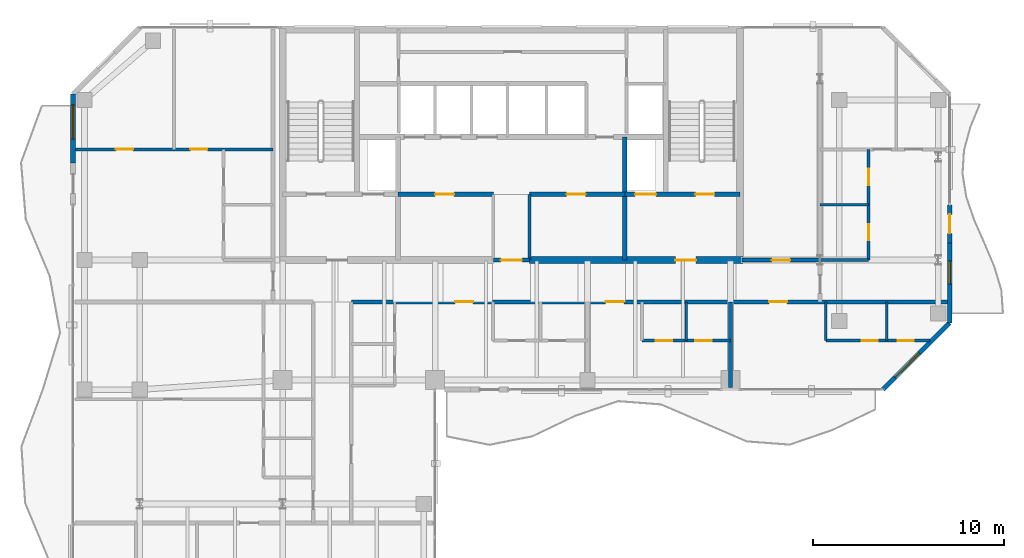
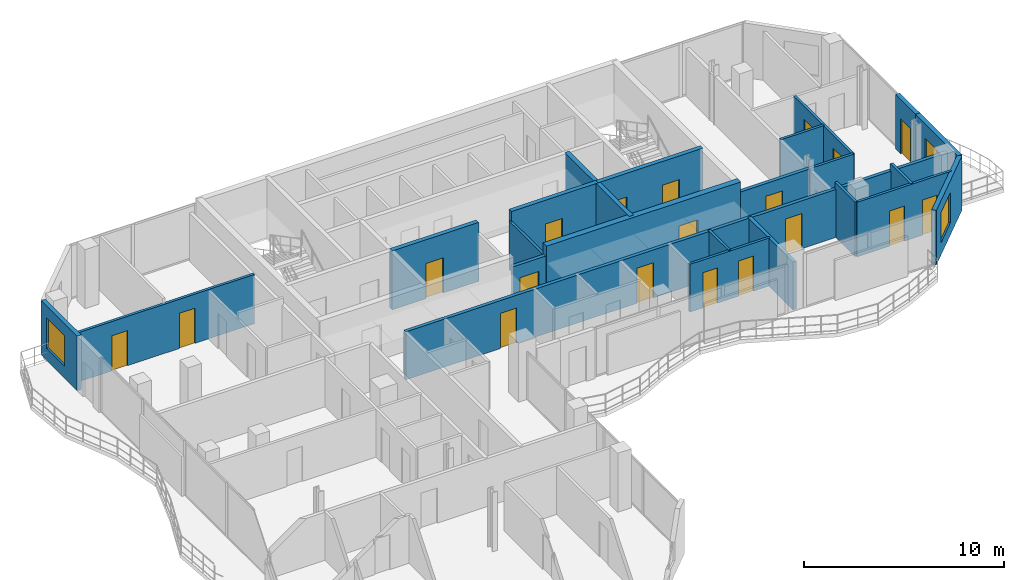
# One storey, part 19 of 24: 23 walls, 19 doors, 3 windows, 22 openings.
"""IFC4 building model written with IfcOpenShell, lengths in metres."""

from ifc_helpers import new_model, si_unit, direction, frame, frame_2d, origin, place, context, subcontext, project, spatial, rectangle, extrude, material, layer, layer_set, type_object, element, fill, save


model = new_model("IFC4")

# Units and contexts
model_context = context("Model", 3, precision=1e-05, world=origin(), true_north=direction((0.0, 1.0)))
body_context = subcontext(model_context, "Body", "Model", "MODEL_VIEW")
ifc_project = project(units=[si_unit("LENGTHUNIT", "METRE"), si_unit("AREAUNIT", "SQUARE_METRE"), si_unit("VOLUMEUNIT", "CUBIC_METRE"), si_unit("PLANEANGLEUNIT", "RADIAN"), si_unit("MASSUNIT", "GRAM", prefix="KILO")], contexts=[model_context])

# Site, building, storey
site_placement = place(None, origin())
site = spatial("IfcSite", under=ifc_project, at=site_placement, CompositionType="ELEMENT")
building_placement = place(site_placement, origin())
building = spatial("IfcBuilding", under=site, at=building_placement, Name="Catumbela Crestline Tower", CompositionType="ELEMENT")
storey_placement = place(building_placement, frame((0.0, 0.0, 157.8)))
storey = spatial("IfcBuildingStorey", under=building, at=storey_placement, Name="L40", CompositionType="ELEMENT", Elevation=157.8)

# Wall
ifc_material_1 = material(Name="Concrete C50/60", Category="concrete")
ifc_layer_1 = layer(ifc_material_1, 0.25, Name="Concrete C50/60")
ifc_layer_set_1 = layer_set([ifc_layer_1], Name="Concrete C50/60")
wall_type_1 = type_object("IfcWallType", Name="CW-250D", PredefinedType="SHEAR", material=ifc_layer_set_1)
wall_1_placement = place(storey_placement, frame((33.95, 30.8, 0.0), z_axis=(0.0, 0.0, 1.0), x_axis=(0.0, 1.0, 0.0)))
element("IfcWall", 1, at=wall_1_placement, inside=storey, type_object=wall_type_1, Name="L40 Structural Core Shear Wall FFE", PredefinedType="SHEAR", context=body_context, shape_type="SweptSolid", body=[
    extrude(rectangle(XDim=6.45, YDim=0.25, at=frame_2d((3.225, 0.0))), origin(), (0.0, 0.0, 1.0), 3.6),
])

# Wall, openings, doors
wall_2_placement = place(storey_placement, frame((33.95, 34.25, 0.0), z_axis=(0.0, 0.0, 1.0), x_axis=(1.0, 0.0, 0.0)))
wall_2 = element("IfcWall", 2, at=wall_2_placement, inside=storey, type_object=wall_type_1, Name="L40 Structural Core Shear Wall ST2S", PredefinedType="SHEAR", context=body_context, shape_type="SweptSolid", body=[
    extrude(rectangle(XDim=6.05, YDim=0.25, at=frame_2d((3.025, 0.0))), origin(), (0.0, 0.0, 1.0), 3.6),
])
opening_1_placement = place(wall_2_placement, frame((3.7, 0.0, 0.0)))
opening_1 = element("IfcOpeningElement", 3, at=opening_1_placement, cuts=wall_2, Name="Opening DF9-100", PredefinedType="OPENING", context=body_context, shape_type="SweptSolid", body=[
    extrude(rectangle(XDim=1.0, YDim=2.15, at=frame_2d((0.5, 1.075))), frame((0.0, 0.135, 0.0), z_axis=(0.0, -1.0, 0.0), x_axis=(1.0, 0.0, 0.0)), (0.0, 0.0, 1.0), 0.27),
])
opening_2_placement = place(wall_2_placement, frame((0.55, 0.0, 0.0)))
opening_2 = element("IfcOpeningElement", 4, at=opening_2_placement, cuts=wall_2, Name="Opening LD-110", PredefinedType="OPENING", context=body_context, shape_type="SweptSolid", body=[
    extrude(rectangle(XDim=1.1, YDim=2.15, at=frame_2d((0.55, 1.075))), frame((0.0, 0.135, 0.0), z_axis=(0.0, -1.0, 0.0), x_axis=(1.0, 0.0, 0.0)), (0.0, 0.0, 1.0), 0.27),
])
ifc_material_2 = material(Name="Stainless steel EN 1.4401", Category="steel")
door_type_1 = type_object("IfcDoorType", Name="DF9-100", OperationType="NOTDEFINED", PredefinedType="DOOR", material=ifc_material_2)
door_1_placement = place(opening_1_placement, origin())
door_1 = element("IfcDoor", 5, at=door_1_placement, inside=storey, type_object=door_type_1, Name="L40 Interior Door DR-L40-ST02", OperationType="SINGLE_SWING_RIGHT", OverallHeight=2.15, OverallWidth=1.0, PredefinedType="DOOR", context=body_context, shape_type="SweptSolid", body=[
    extrude(rectangle(XDim=1.0, YDim=2.15, at=frame_2d((0.5, 1.075))), frame((0.0, 0.025, 0.0), z_axis=(0.0, -1.0, 0.0), x_axis=(1.0, 0.0, 0.0)), (0.0, 0.0, 1.0), 0.05),
])
fill(opening_1, door_1)
door_type_2 = type_object("IfcDoorType", Name="LD-110", OperationType="NOTDEFINED", PredefinedType="DOOR", material=ifc_material_2)
door_2_placement = place(opening_2_placement, origin())
door_2 = element("IfcDoor", 6, at=door_2_placement, inside=storey, type_object=door_type_2, Name="L40 Lift Landing Sliding Door FL-02", OperationType="DOUBLE_DOOR_SLIDING", OverallHeight=2.15, OverallWidth=1.1, PredefinedType="DOOR", context=body_context, shape_type="SweptSolid", body=[
    extrude(rectangle(XDim=1.1, YDim=2.15, at=frame_2d((0.55, 1.075))), frame((0.0, 0.025, 0.0), z_axis=(0.0, -1.0, 0.0), x_axis=(1.0, 0.0, 0.0)), (0.0, 0.0, 1.0), 0.05),
])
fill(opening_2, door_2)

# Wall, opening, door
wall_3_placement = place(storey_placement, frame((22.05, 34.25, 0.0), z_axis=(0.0, 0.0, 1.0), x_axis=(1.0, 0.0, 0.0)))
wall_3 = element("IfcWall", 7, at=wall_3_placement, inside=storey, type_object=wall_type_1, Name="L40 Structural Core Shear Wall LIFTS-W", PredefinedType="SHEAR", context=body_context, shape_type="SweptSolid", body=[
    extrude(rectangle(XDim=5.0, YDim=0.25, at=frame_2d((2.5, 0.0))), origin(), (0.0, 0.0, 1.0), 3.6),
])
opening_3_placement = place(wall_3_placement, frame((1.95, 0.0, 0.0)))
opening_3 = element("IfcOpeningElement", 8, at=opening_3_placement, cuts=wall_3, Name="Opening DF9-100", PredefinedType="OPENING", context=body_context, shape_type="SweptSolid", body=[
    extrude(rectangle(XDim=1.0, YDim=2.15, at=frame_2d((0.5, 1.075))), frame((0.0, 0.135, 0.0), z_axis=(0.0, -1.0, 0.0), x_axis=(1.0, 0.0, 0.0)), (0.0, 0.0, 1.0), 0.27),
])
door_3_placement = place(opening_3_placement, origin())
door_3 = element("IfcDoor", 9, at=door_3_placement, inside=storey, type_object=door_type_1, Name="L40 Interior Door DR-L40-RECL1", OperationType="SINGLE_SWING_LEFT", OverallHeight=2.15, OverallWidth=1.0, PredefinedType="DOOR", context=body_context, shape_type="SweptSolid", body=[
    extrude(rectangle(XDim=1.0, YDim=2.15, at=frame_2d((0.5, 1.075))), frame((0.0, 0.025, 0.0), z_axis=(0.0, -1.0, 0.0), x_axis=(1.0, 0.0, 0.0)), (0.0, 0.0, 1.0), 0.05),
])
fill(opening_3, door_3)

wall_4_placement = place(storey_placement, frame((28.95, 34.25, 0.0), z_axis=(0.0, 0.0, 1.0), x_axis=(1.0, 0.0, 0.0)))
wall_4 = element("IfcWall", 10, at=wall_4_placement, inside=storey, type_object=wall_type_1, Name="L40 Structural Core Shear Wall LIFTS-E", PredefinedType="SHEAR", context=body_context, shape_type="SweptSolid", body=[
    extrude(rectangle(XDim=5.0, YDim=0.25, at=frame_2d((2.5, 0.0))), origin(), (0.0, 0.0, 1.0), 3.6),
])
opening_4_placement = place(wall_4_placement, frame((1.95, 0.0, 0.0)))
opening_4 = element("IfcOpeningElement", 11, at=opening_4_placement, cuts=wall_4, Name="Opening DF9-100", PredefinedType="OPENING", context=body_context, shape_type="SweptSolid", body=[
    extrude(rectangle(XDim=1.0, YDim=2.15, at=frame_2d((0.5, 1.075))), frame((0.0, 0.135, 0.0), z_axis=(0.0, -1.0, 0.0), x_axis=(1.0, 0.0, 0.0)), (0.0, 0.0, 1.0), 0.27),
])
door_4_placement = place(opening_4_placement, origin())
door_4 = element("IfcDoor", 12, at=door_4_placement, inside=storey, type_object=door_type_1, Name="L40 Interior Door DR-L40-RECL2", OperationType="SINGLE_SWING_RIGHT", OverallHeight=2.15, OverallWidth=1.0, PredefinedType="DOOR", context=body_context, shape_type="SweptSolid", body=[
    extrude(rectangle(XDim=1.0, YDim=2.15, at=frame_2d((0.5, 1.075))), frame((0.0, 0.025, 0.0), z_axis=(0.0, -1.0, 0.0), x_axis=(1.0, 0.0, 0.0)), (0.0, 0.0, 1.0), 0.05),
])
fill(opening_4, door_4)

ifc_layer_2 = layer(ifc_material_1, 0.35, Name="Concrete C50/60")
ifc_layer_set_2 = layer_set([ifc_layer_2], Name="Concrete C50/60")
wall_type_2 = type_object("IfcWallType", Name="CW-350B", PredefinedType="SHEAR", material=ifc_layer_set_2)
wall_5_placement = place(storey_placement, frame((28.95, 30.8, 0.0), z_axis=(0.0, 0.0, 1.0), x_axis=(1.0, 0.0, 0.0)))
wall_5 = element("IfcWall", 13, at=wall_5_placement, inside=storey, type_object=wall_type_2, Name="L40 Structural Core Shear Wall SE", PredefinedType="SHEAR", context=body_context, shape_type="SweptSolid", body=[
    extrude(rectangle(XDim=11.2, YDim=0.35, at=frame_2d((5.6, 0.0))), origin(), (0.0, 0.0, 1.0), 3.6),
])
opening_5_placement = place(wall_5_placement, frame((7.65, 0.0, 0.0)))
opening_5 = element("IfcOpeningElement", 14, at=opening_5_placement, cuts=wall_5, Name="Opening DF9-110", PredefinedType="OPENING", context=body_context, shape_type="SweptSolid", body=[
    extrude(rectangle(XDim=1.1, YDim=2.15, at=frame_2d((0.55, 1.075))), frame((0.0, 0.185, 0.0), z_axis=(0.0, -1.0, 0.0), x_axis=(1.0, 0.0, 0.0)), (0.0, 0.0, 1.0), 0.37),
])
door_type_3 = type_object("IfcDoorType", Name="DF9-110", OperationType="NOTDEFINED", PredefinedType="DOOR", material=ifc_material_2)
door_5_placement = place(opening_5_placement, origin())
door_5 = element("IfcDoor", 15, at=door_5_placement, inside=storey, type_object=door_type_3, Name="L40 Interior Door DR-L40-FFE-S", OperationType="SINGLE_SWING_RIGHT", OverallHeight=2.15, OverallWidth=1.1, PredefinedType="DOOR", context=body_context, shape_type="SweptSolid", body=[
    extrude(rectangle(XDim=1.1, YDim=2.15, at=frame_2d((0.55, 1.075))), frame((0.0, 0.025, 0.0), z_axis=(0.0, -1.0, 0.0), x_axis=(1.0, 0.0, 0.0)), (0.0, 0.0, 1.0), 0.05),
])
fill(opening_5, door_5)

ifc_material_3 = material(Name="Acoustic gypsum and mineral-wool partition")
ifc_layer_3 = layer(ifc_material_3, 0.2, Name="Acoustic gypsum and mineral-wool partition")
ifc_layer_set_3 = layer_set([ifc_layer_3], Name="Acoustic gypsum and mineral-wool partition")
wall_type_3 = type_object("IfcWallType", Name="WC-200", PredefinedType="PARTITIONING", material=ifc_layer_set_3)
wall_6_placement = place(storey_placement, frame((27.05, 30.8, 0.0), z_axis=(0.0, 0.0, 1.0), x_axis=(1.0, 0.0, 0.0)))
wall_6 = element("IfcWall", 16, at=wall_6_placement, inside=storey, type_object=wall_type_3, Name="L40 Interior Partition PW-L40-CLOBS", PredefinedType="PARTITIONING", context=body_context, shape_type="SweptSolid", body=[
    extrude(rectangle(XDim=1.9, YDim=0.2, at=frame_2d((0.95, 0.0))), origin(), (0.0, 0.0, 1.0), 2.96),
])
opening_6_placement = place(wall_6_placement, frame((0.4, 0.0, 0.0)))
opening_6 = element("IfcOpeningElement", 17, at=opening_6_placement, cuts=wall_6, Name="Opening DF9-110", PredefinedType="OPENING", context=body_context, shape_type="SweptSolid", body=[
    extrude(rectangle(XDim=1.1, YDim=2.15, at=frame_2d((0.55, 1.075))), frame((0.0, 0.11, 0.0), z_axis=(0.0, -1.0, 0.0), x_axis=(1.0, 0.0, 0.0)), (0.0, 0.0, 1.0), 0.22),
])
door_6_placement = place(opening_6_placement, origin())
door_6 = element("IfcDoor", 18, at=door_6_placement, inside=storey, type_object=door_type_3, Name="L40 Interior Door DR-L40-CLOBS", OperationType="SINGLE_SWING_LEFT", OverallHeight=2.15, OverallWidth=1.1, PredefinedType="DOOR", context=body_context, shape_type="SweptSolid", body=[
    extrude(rectangle(XDim=1.1, YDim=2.15, at=frame_2d((0.55, 1.075))), frame((0.0, 0.025, 0.0), z_axis=(0.0, -1.0, 0.0), x_axis=(1.0, 0.0, 0.0)), (0.0, 0.0, 1.0), 0.05),
])
fill(opening_6, door_6)

# Wall, openings, doors
wall_7_placement = place(storey_placement, frame((19.6, 28.6, 0.0), z_axis=(0.0, 0.0, 1.0), x_axis=(1.0, 0.0, 0.0)))
wall_7 = element("IfcWall", 19, at=wall_7_placement, inside=storey, type_object=wall_type_3, Name="L40 Interior Partition PW-L40-RCWR", PredefinedType="PARTITIONING", context=body_context, shape_type="SweptSolid", body=[
    extrude(rectangle(XDim=31.3, YDim=0.2, at=frame_2d((15.65, 0.0))), origin(), (0.0, 0.0, 1.0), 2.93),
])
opening_7_placement = place(wall_7_placement, frame((5.445, 0.0, 0.0)))
opening_7 = element("IfcOpeningElement", 20, at=opening_7_placement, cuts=wall_7, Name="Opening DF6-095", PredefinedType="OPENING", context=body_context, shape_type="SweptSolid", body=[
    extrude(rectangle(XDim=0.95, YDim=2.15, at=frame_2d((0.475, 1.075))), frame((0.0, 0.11, 0.0), z_axis=(0.0, -1.0, 0.0), x_axis=(1.0, 0.0, 0.0)), (0.0, 0.0, 1.0), 0.22),
])
opening_8_placement = place(wall_7_placement, frame((13.35, 0.0, 0.0)))
opening_8 = element("IfcOpeningElement", 21, at=opening_8_placement, cuts=wall_7, Name="Opening DF6-095", PredefinedType="OPENING", context=body_context, shape_type="SweptSolid", body=[
    extrude(rectangle(XDim=0.95, YDim=2.15, at=frame_2d((0.475, 1.075))), frame((0.0, 0.11, 0.0), z_axis=(0.0, -1.0, 0.0), x_axis=(1.0, 0.0, 0.0)), (0.0, 0.0, 1.0), 0.22),
])
opening_9_placement = place(wall_7_placement, frame((21.925, 0.0, 0.0)))
opening_9 = element("IfcOpeningElement", 22, at=opening_9_placement, cuts=wall_7, Name="Opening DF6-095", PredefinedType="OPENING", context=body_context, shape_type="SweptSolid", body=[
    extrude(rectangle(XDim=0.95, YDim=2.15, at=frame_2d((0.475, 1.075))), frame((0.0, 0.11, 0.0), z_axis=(0.0, -1.0, 0.0), x_axis=(1.0, 0.0, 0.0)), (0.0, 0.0, 1.0), 0.22),
])
ifc_material_4 = material(Name="Aluminium alloy AW-6060-T66", Category="aluminium")
door_type_4 = type_object("IfcDoorType", Name="DF6-095", OperationType="NOTDEFINED", PredefinedType="DOOR", material=ifc_material_4)
door_7_placement = place(opening_7_placement, origin())
door_7 = element("IfcDoor", 23, at=door_7_placement, inside=storey, type_object=door_type_4, Name="L40 Interior Door DR-L40-S1-ENT", OperationType="SINGLE_SWING_LEFT", OverallHeight=2.15, OverallWidth=0.95, PredefinedType="DOOR", context=body_context, shape_type="SweptSolid", body=[
    extrude(rectangle(XDim=0.95, YDim=2.15, at=frame_2d((0.475, 1.075))), frame((0.0, 0.025, 0.0), z_axis=(0.0, -1.0, 0.0), x_axis=(1.0, 0.0, 0.0)), (0.0, 0.0, 1.0), 0.05),
])
fill(opening_7, door_7)
door_8_placement = place(opening_8_placement, origin())
door_8 = element("IfcDoor", 24, at=door_8_placement, inside=storey, type_object=door_type_4, Name="L40 Interior Door DR-L40-S2-ENT", OperationType="SINGLE_SWING_RIGHT", OverallHeight=2.15, OverallWidth=0.95, PredefinedType="DOOR", context=body_context, shape_type="SweptSolid", body=[
    extrude(rectangle(XDim=0.95, YDim=2.15, at=frame_2d((0.475, 1.075))), frame((0.0, 0.025, 0.0), z_axis=(0.0, -1.0, 0.0), x_axis=(1.0, 0.0, 0.0)), (0.0, 0.0, 1.0), 0.05),
])
fill(opening_8, door_8)
door_9_placement = place(opening_9_placement, origin())
door_9 = element("IfcDoor", 25, at=door_9_placement, inside=storey, type_object=door_type_4, Name="L40 Interior Door DR-L40-S3-ENT", OperationType="SINGLE_SWING_LEFT", OverallHeight=2.15, OverallWidth=0.95, PredefinedType="DOOR", context=body_context, shape_type="SweptSolid", body=[
    extrude(rectangle(XDim=0.95, YDim=2.15, at=frame_2d((0.475, 1.075))), frame((0.0, 0.025, 0.0), z_axis=(0.0, -1.0, 0.0), x_axis=(1.0, 0.0, 0.0)), (0.0, 0.0, 1.0), 0.05),
])
fill(opening_9, door_9)

# Wall, opening, door
wall_8_placement = place(storey_placement, frame((40.1, 30.8, 0.0), z_axis=(0.0, 0.0, 1.0), x_axis=(1.0, 0.0, 0.0)))
wall_8 = element("IfcWall", 26, at=wall_8_placement, inside=storey, type_object=wall_type_3, Name="L40 Interior Partition PW-L40-NERM-ENT", PredefinedType="PARTITIONING", context=body_context, shape_type="SweptSolid", body=[
    extrude(rectangle(XDim=4.1, YDim=0.2, at=frame_2d((2.05, 0.0))), origin(), (0.0, 0.0, 1.0), 2.93),
])
opening_10_placement = place(wall_8_placement, frame((1.575, 0.0, 0.0)))
opening_10 = element("IfcOpeningElement", 27, at=opening_10_placement, cuts=wall_8, Name="Opening DF6-095", PredefinedType="OPENING", context=body_context, shape_type="SweptSolid", body=[
    extrude(rectangle(XDim=0.95, YDim=2.15, at=frame_2d((0.475, 1.075))), frame((0.0, 0.11, 0.0), z_axis=(0.0, -1.0, 0.0), x_axis=(1.0, 0.0, 0.0)), (0.0, 0.0, 1.0), 0.22),
])
door_10_placement = place(opening_10_placement, origin())
door_10 = element("IfcDoor", 28, at=door_10_placement, inside=storey, type_object=door_type_4, Name="L40 Interior Door DR-L40-NERM-ENT", OperationType="SINGLE_SWING_LEFT", OverallHeight=2.15, OverallWidth=0.95, PredefinedType="DOOR", context=body_context, shape_type="SweptSolid", body=[
    extrude(rectangle(XDim=0.95, YDim=2.15, at=frame_2d((0.475, 1.075))), frame((0.0, 0.025, 0.0), z_axis=(0.0, -1.0, 0.0), x_axis=(1.0, 0.0, 0.0)), (0.0, 0.0, 1.0), 0.05),
])
fill(opening_10, door_10)

# Wall, opening, window
ifc_material_5 = material(Name="Angolan grey-ochre granite", Category="masonry")
ifc_layer_4 = layer(ifc_material_5, 0.25, Name="Angolan grey-ochre granite")
ifc_layer_set_4 = layer_set([ifc_layer_4], Name="Angolan grey-ochre granite")
wall_type_4 = type_object("IfcWallType", Name="WE-250", PredefinedType="STANDARD", material=ifc_layer_set_4)
wall_9_placement = place(storey_placement, frame((47.5, 24.0, 0.0), z_axis=(0.0, 0.0, 1.0), x_axis=(0.707106781187, 0.707106781187, 0.0)))
wall_9 = element("IfcWall", 29, at=wall_9_placement, inside=storey, type_object=wall_type_4, Name="L40 Granite Punched Window Wall 4-1", PredefinedType="STANDARD", context=body_context, shape_type="SweptSolid", body=[
    extrude(rectangle(XDim=4.9497, YDim=0.25, at=frame_2d((2.4748, 0.0))), origin(), (0.0, 0.0, 1.0), 3.33),
])
opening_11_placement = place(wall_9_placement, frame((0.8962, 0.0, 0.75)))
opening_11 = element("IfcOpeningElement", 30, at=opening_11_placement, cuts=wall_9, Name="Opening WN-01", PredefinedType="OPENING", context=body_context, shape_type="SweptSolid", body=[
    extrude(rectangle(XDim=1.8, YDim=1.85, at=frame_2d((0.9, 0.925))), frame((0.0, 0.135, 0.0), z_axis=(0.0, -1.0, 0.0), x_axis=(1.0, 0.0, 0.0)), (0.0, 0.0, 1.0), 0.27),
])
ifc_material_6 = material(Name="Low-E laminated solar-control double glazing", Category="glass")
window_type_1 = type_object("IfcWindowType", Name="WF-1800", PartitioningType="SINGLE_PANEL", PredefinedType="WINDOW", material=ifc_material_6)
window_1_placement = place(opening_11_placement, origin())
window_1 = element("IfcWindow", 31, at=window_1_placement, inside=storey, type_object=window_type_1, Name="L40 Facade Vision Window 227", OverallHeight=1.85, OverallWidth=1.8, PartitioningType="SINGLE_PANEL", PredefinedType="WINDOW", context=body_context, shape_type="SweptSolid", body=[
    extrude(rectangle(XDim=1.8, YDim=1.85, at=frame_2d((0.9, 0.925))), frame((0.0, 0.03, 0.0), z_axis=(0.0, -1.0, 0.0), x_axis=(1.0, 0.0, 0.0)), (0.0, 0.0, 1.0), 0.06),
])
fill(opening_11, window_1)

# Wall, opening, door
wall_10_placement = place(storey_placement, frame((51.0, 31.7, 0.0), z_axis=(0.0, 0.0, 1.0), x_axis=(0.0, 1.0, 0.0)))
wall_10 = element("IfcWall", 32, at=wall_10_placement, inside=storey, type_object=wall_type_4, Name="L40 Exterior Threshold Portal Wall DR-L40-WBAL-2", PredefinedType="STANDARD", context=body_context, shape_type="SweptSolid", body=[
    extrude(rectangle(XDim=2.0, YDim=0.25, at=frame_2d((1.0, 0.0))), origin(), (0.0, 0.0, 1.0), 3.33),
])
opening_12_placement = place(wall_10_placement, frame((0.5, 0.0, 0.0)))
opening_12 = element("IfcOpeningElement", 33, at=opening_12_placement, cuts=wall_10, Name="Opening DB-L40-2", PredefinedType="OPENING", context=body_context, shape_type="SweptSolid", body=[
    extrude(rectangle(XDim=1.0, YDim=2.15, at=frame_2d((0.5, 1.075))), frame((0.0, 0.135, 0.0), z_axis=(0.0, -1.0, 0.0), x_axis=(1.0, 0.0, 0.0)), (0.0, 0.0, 1.0), 0.27),
])
door_type_5 = type_object("IfcDoorType", Name="DB-1000", OperationType="NOTDEFINED", PredefinedType="DOOR", material=ifc_material_4)
door_11_placement = place(opening_12_placement, origin())
door_11 = element("IfcDoor", 34, at=door_11_placement, inside=storey, type_object=door_type_5, Name="L40 Wave Balcony Terrace Door 2", OperationType="SINGLE_SWING_LEFT", OverallHeight=2.15, OverallWidth=1.0, PredefinedType="DOOR", context=body_context, shape_type="SweptSolid", body=[
    extrude(rectangle(XDim=1.0, YDim=2.15, at=frame_2d((0.5, 1.075))), frame((0.0, 0.025, 0.0), z_axis=(0.0, -1.0, 0.0), x_axis=(1.0, 0.0, 0.0)), (0.0, 0.0, 1.0), 0.05),
])
fill(opening_12, door_11)

# Wall, opening, window
wall_11_placement = place(storey_placement, frame((51.0, 27.5, 0.0), z_axis=(0.0, 0.0, 1.0), x_axis=(0.0, 1.0, 0.0)))
wall_11 = element("IfcWall", 35, at=wall_11_placement, inside=storey, type_object=wall_type_4, Name="L40 Granite Punched Window Wall 5-1", PredefinedType="STANDARD", context=body_context, shape_type="SweptSolid", body=[
    extrude(rectangle(XDim=4.2, YDim=0.25, at=frame_2d((2.1, 0.0))), origin(), (0.0, 0.0, 1.0), 3.33),
])
opening_13_placement = place(wall_11_placement, frame((2.04, 0.0, 0.85)))
opening_13 = element("IfcOpeningElement", 36, at=opening_13_placement, cuts=wall_11, Name="Opening WN-02", PredefinedType="OPENING", context=body_context, shape_type="SweptSolid", body=[
    extrude(rectangle(XDim=1.2, YDim=1.6, at=frame_2d((0.6, 0.8))), frame((0.0, 0.135, 0.0), z_axis=(0.0, -1.0, 0.0), x_axis=(1.0, 0.0, 0.0)), (0.0, 0.0, 1.0), 0.27),
])
window_type_2 = type_object("IfcWindowType", Name="WO-1200", PartitioningType="SINGLE_PANEL", PredefinedType="WINDOW", material=ifc_material_6)
window_2_placement = place(opening_13_placement, origin())
window_2 = element("IfcWindow", 37, at=window_2_placement, inside=storey, type_object=window_type_2, Name="L40 Facade Vision Window 228", OverallHeight=1.6, OverallWidth=1.2, PartitioningType="SINGLE_PANEL", PredefinedType="WINDOW", context=body_context, shape_type="SweptSolid", body=[
    extrude(rectangle(XDim=1.2, YDim=1.6, at=frame_2d((0.6, 0.8))), frame((0.0, 0.03, 0.0), z_axis=(0.0, -1.0, 0.0), x_axis=(1.0, 0.0, 0.0)), (0.0, 0.0, 1.0), 0.06),
])
fill(opening_13, window_2)

wall_12_placement = place(storey_placement, frame((5.0, 39.5, 0.0), z_axis=(0.0, 0.0, 1.0), x_axis=(0.0, -1.0, 0.0)))
wall_12 = element("IfcWall", 38, at=wall_12_placement, inside=storey, type_object=wall_type_4, Name="L40 Granite Punched Window Wall 9-1", PredefinedType="STANDARD", context=body_context, shape_type="SweptSolid", body=[
    extrude(rectangle(XDim=3.6, YDim=0.25, at=frame_2d((1.8, 0.0))), origin(), (0.0, 0.0, 1.0), 3.33),
])
opening_14_placement = place(wall_12_placement, frame((0.556, 0.0, 0.75)))
opening_14 = element("IfcOpeningElement", 39, at=opening_14_placement, cuts=wall_12, Name="Opening WN-01", PredefinedType="OPENING", context=body_context, shape_type="SweptSolid", body=[
    extrude(rectangle(XDim=1.8, YDim=1.85, at=frame_2d((0.9, 0.925))), frame((0.0, 0.135, 0.0), z_axis=(0.0, -1.0, 0.0), x_axis=(1.0, 0.0, 0.0)), (0.0, 0.0, 1.0), 0.27),
])
window_3_placement = place(opening_14_placement, origin())
window_3 = element("IfcWindow", 40, at=window_3_placement, inside=storey, type_object=window_type_1, Name="L40 Facade Vision Window 231", OverallHeight=1.85, OverallWidth=1.8, PartitioningType="SINGLE_PANEL", PredefinedType="WINDOW", context=body_context, shape_type="SweptSolid", body=[
    extrude(rectangle(XDim=1.8, YDim=1.85, at=frame_2d((0.9, 0.925))), frame((0.0, 0.03, 0.0), z_axis=(0.0, -1.0, 0.0), x_axis=(1.0, 0.0, 0.0)), (0.0, 0.0, 1.0), 0.06),
])
fill(opening_14, window_3)

# Wall, openings, doors
ifc_layer_5 = layer(ifc_material_3, 0.15, Name="Acoustic gypsum and mineral-wool partition")
ifc_layer_set_5 = layer_set([ifc_layer_5], Name="Acoustic gypsum and mineral-wool partition")
wall_type_5 = type_object("IfcWallType", Name="WP-150", PredefinedType="PARTITIONING", material=ifc_layer_set_5)
wall_13_placement = place(storey_placement, frame((5.1, 36.608, 0.0), z_axis=(0.0, 0.0, 1.0), x_axis=(1.0, 0.0, 0.0)))
wall_13 = element("IfcWall", 41, at=wall_13_placement, inside=storey, type_object=wall_type_5, Name="L40 Interior Partition PW-L40-NW1-KBN", PredefinedType="PARTITIONING", context=body_context, shape_type="SweptSolid", body=[
    extrude(rectangle(XDim=10.4, YDim=0.15, at=frame_2d((5.2, 0.0))), origin(), (0.0, 0.0, 1.0), 3.01),
])
opening_15_placement = place(wall_13_placement, frame((2.15, 0.0, 0.0)))
opening_15 = element("IfcOpeningElement", 42, at=opening_15_placement, cuts=wall_13, Name="Opening DI-090", PredefinedType="OPENING", context=body_context, shape_type="SweptSolid", body=[
    extrude(rectangle(XDim=0.9, YDim=2.15, at=frame_2d((0.45, 1.075))), frame((0.0, 0.085, 0.0), z_axis=(0.0, -1.0, 0.0), x_axis=(1.0, 0.0, 0.0)), (0.0, 0.0, 1.0), 0.17),
])
opening_16_placement = place(wall_13_placement, frame((6.05, 0.0, 0.0)))
opening_16 = element("IfcOpeningElement", 43, at=opening_16_placement, cuts=wall_13, Name="Opening DI-090", PredefinedType="OPENING", context=body_context, shape_type="SweptSolid", body=[
    extrude(rectangle(XDim=0.9, YDim=2.15, at=frame_2d((0.45, 1.075))), frame((0.0, 0.085, 0.0), z_axis=(0.0, -1.0, 0.0), x_axis=(1.0, 0.0, 0.0)), (0.0, 0.0, 1.0), 0.17),
])
door_type_6 = type_object("IfcDoorType", Name="DI-090", OperationType="NOTDEFINED", PredefinedType="DOOR", material=ifc_material_4)
door_12_placement = place(opening_15_placement, origin())
door_12 = element("IfcDoor", 44, at=door_12_placement, inside=storey, type_object=door_type_6, Name="L40 Interior Door DR-L40-NW1-BD1", OperationType="SINGLE_SWING_LEFT", OverallHeight=2.15, OverallWidth=0.9, PredefinedType="DOOR", context=body_context, shape_type="SweptSolid", body=[
    extrude(rectangle(XDim=0.9, YDim=2.15, at=frame_2d((0.45, 1.075))), frame((0.0, 0.025, 0.0), z_axis=(0.0, -1.0, 0.0), x_axis=(1.0, 0.0, 0.0)), (0.0, 0.0, 1.0), 0.05),
])
fill(opening_15, door_12)
door_13_placement = place(opening_16_placement, origin())
door_13 = element("IfcDoor", 45, at=door_13_placement, inside=storey, type_object=door_type_6, Name="L40 Interior Door DR-L40-NW1-BD2", OperationType="SINGLE_SWING_RIGHT", OverallHeight=2.15, OverallWidth=0.9, PredefinedType="DOOR", context=body_context, shape_type="SweptSolid", body=[
    extrude(rectangle(XDim=0.9, YDim=2.15, at=frame_2d((0.45, 1.075))), frame((0.0, 0.025, 0.0), z_axis=(0.0, -1.0, 0.0), x_axis=(1.0, 0.0, 0.0)), (0.0, 0.0, 1.0), 0.05),
])
fill(opening_16, door_13)

# Walls
for number, where, z_axis, x_axis, name in (
    (46, (44.2, 30.8, 0.0), (0.0, 0.0, 1.0), (1.0, 0.0, 0.0), "L40 Interior Partition PW-L40-NE1-KBS"),
    (47, (44.2, 33.704, 0.0), (0.0, 0.0, 1.0), (1.0, 0.0, 0.0), "L40 Interior Partition PW-L40-NE1-KBM"),
):
    element("IfcWall", number, at=place(storey_placement, frame(where, z_axis=z_axis, x_axis=x_axis)), inside=storey, type_object=wall_type_5, Name=name, PredefinedType="PARTITIONING", context=body_context, shape_type="SweptSolid", body=[
        extrude(rectangle(XDim=2.546, YDim=0.15, at=frame_2d((1.273, 0.0))), origin(), (0.0, 0.0, 1.0), 2.93),
    ])

# Wall, openings, doors
wall_14_placement = place(storey_placement, frame((46.746, 30.8, 0.0), z_axis=(0.0, 0.0, 1.0), x_axis=(0.0, 1.0, 0.0)))
wall_14 = element("IfcWall", 48, at=wall_14_placement, inside=storey, type_object=wall_type_5, Name="L40 Interior Partition PW-L40-NE1-LK", PredefinedType="PARTITIONING", context=body_context, shape_type="SweptSolid", body=[
    extrude(rectangle(XDim=5.808, YDim=0.15, at=frame_2d((2.904, 0.0))), origin(), (0.0, 0.0, 1.0), 2.93),
])
opening_17_placement = place(wall_14_placement, frame((1.027, 0.0, 0.0)))
opening_17 = element("IfcOpeningElement", 49, at=opening_17_placement, cuts=wall_14, Name="Opening DI-085", PredefinedType="OPENING", context=body_context, shape_type="SweptSolid", body=[
    extrude(rectangle(XDim=0.85, YDim=2.15, at=frame_2d((0.425, 1.075))), frame((0.0, 0.085, 0.0), z_axis=(0.0, -1.0, 0.0), x_axis=(1.0, 0.0, 0.0)), (0.0, 0.0, 1.0), 0.17),
])
opening_18_placement = place(wall_14_placement, frame((3.931, 0.0, 0.0)))
opening_18 = element("IfcOpeningElement", 50, at=opening_18_placement, cuts=wall_14, Name="Opening DI-085", PredefinedType="OPENING", context=body_context, shape_type="SweptSolid", body=[
    extrude(rectangle(XDim=0.85, YDim=2.15, at=frame_2d((0.425, 1.075))), frame((0.0, 0.085, 0.0), z_axis=(0.0, -1.0, 0.0), x_axis=(1.0, 0.0, 0.0)), (0.0, 0.0, 1.0), 0.17),
])
door_type_7 = type_object("IfcDoorType", Name="DI-085", OperationType="NOTDEFINED", PredefinedType="DOOR", material=ifc_material_4)
door_14_placement = place(opening_17_placement, origin())
door_14 = element("IfcDoor", 51, at=door_14_placement, inside=storey, type_object=door_type_7, Name="L40 Interior Door DR-L40-NE1-KIT", OperationType="SINGLE_SWING_LEFT", OverallHeight=2.15, OverallWidth=0.85, PredefinedType="DOOR", context=body_context, shape_type="SweptSolid", body=[
    extrude(rectangle(XDim=0.85, YDim=2.15, at=frame_2d((0.425, 1.075))), frame((0.0, 0.025, 0.0), z_axis=(0.0, -1.0, 0.0), x_axis=(1.0, 0.0, 0.0)), (0.0, 0.0, 1.0), 0.05),
])
fill(opening_17, door_14)
door_15_placement = place(opening_18_placement, origin())
door_15 = element("IfcDoor", 52, at=door_15_placement, inside=storey, type_object=door_type_7, Name="L40 Interior Door DR-L40-NE1-BTH", OperationType="SINGLE_SWING_RIGHT", OverallHeight=2.15, OverallWidth=0.85, PredefinedType="DOOR", context=body_context, shape_type="SweptSolid", body=[
    extrude(rectangle(XDim=0.85, YDim=2.15, at=frame_2d((0.425, 1.075))), frame((0.0, 0.025, 0.0), z_axis=(0.0, -1.0, 0.0), x_axis=(1.0, 0.0, 0.0)), (0.0, 0.0, 1.0), 0.05),
])
fill(opening_18, door_15)

# Wall
wall_15_placement = place(storey_placement, frame((37.175, 26.576, 0.0), z_axis=(0.0, 0.0, 1.0), x_axis=(0.0, 1.0, 0.0)))
element("IfcWall", 53, at=wall_15_placement, inside=storey, type_object=wall_type_5, Name="L40 Interior Partition PW-L40-S2-KBM", PredefinedType="PARTITIONING", context=body_context, shape_type="SweptSolid", body=[
    extrude(rectangle(XDim=2.024, YDim=0.15, at=frame_2d((1.012, 0.0))), origin(), (0.0, 0.0, 1.0), 2.96),
])

# Wall, openings, doors
wall_16_placement = place(storey_placement, frame((34.85, 26.576, 0.0), z_axis=(0.0, 0.0, 1.0), x_axis=(1.0, 0.0, 0.0)))
wall_16 = element("IfcWall", 54, at=wall_16_placement, inside=storey, type_object=wall_type_5, Name="L40 Interior Partition PW-L40-S2-KBD1", PredefinedType="PARTITIONING", context=body_context, shape_type="SweptSolid", body=[
    extrude(rectangle(XDim=4.65, YDim=0.15, at=frame_2d((2.325, 0.0))), origin(), (0.0, 0.0, 1.0), 2.93),
])
opening_19_placement = place(wall_16_placement, frame((0.7375, 0.0, 0.0)))
opening_19 = element("IfcOpeningElement", 55, at=opening_19_placement, cuts=wall_16, Name="Opening DI-085", PredefinedType="OPENING", context=body_context, shape_type="SweptSolid", body=[
    extrude(rectangle(XDim=0.85, YDim=2.15, at=frame_2d((0.425, 1.075))), frame((0.0, 0.085, 0.0), z_axis=(0.0, -1.0, 0.0), x_axis=(1.0, 0.0, 0.0)), (0.0, 0.0, 1.0), 0.17),
])
opening_20_placement = place(wall_16_placement, frame((2.8075, 0.0, 0.0)))
opening_20 = element("IfcOpeningElement", 56, at=opening_20_placement, cuts=wall_16, Name="Opening DI-085", PredefinedType="OPENING", context=body_context, shape_type="SweptSolid", body=[
    extrude(rectangle(XDim=0.85, YDim=2.15, at=frame_2d((0.425, 1.075))), frame((0.0, 0.085, 0.0), z_axis=(0.0, -1.0, 0.0), x_axis=(1.0, 0.0, 0.0)), (0.0, 0.0, 1.0), 0.17),
])
door_16_placement = place(opening_19_placement, origin())
door_16 = element("IfcDoor", 57, at=door_16_placement, inside=storey, type_object=door_type_7, Name="L40 Interior Door DR-L40-S2-BTH", OperationType="SINGLE_SWING_LEFT", OverallHeight=2.15, OverallWidth=0.85, PredefinedType="DOOR", context=body_context, shape_type="SweptSolid", body=[
    extrude(rectangle(XDim=0.85, YDim=2.15, at=frame_2d((0.425, 1.075))), frame((0.0, 0.025, 0.0), z_axis=(0.0, -1.0, 0.0), x_axis=(1.0, 0.0, 0.0)), (0.0, 0.0, 1.0), 0.05),
])
fill(opening_19, door_16)
door_17_placement = place(opening_20_placement, origin())
door_17 = element("IfcDoor", 58, at=door_17_placement, inside=storey, type_object=door_type_7, Name="L40 Interior Door DR-L40-S2-KIT", OperationType="SINGLE_SWING_RIGHT", OverallHeight=2.15, OverallWidth=0.85, PredefinedType="DOOR", context=body_context, shape_type="SweptSolid", body=[
    extrude(rectangle(XDim=0.85, YDim=2.15, at=frame_2d((0.425, 1.075))), frame((0.0, 0.025, 0.0), z_axis=(0.0, -1.0, 0.0), x_axis=(1.0, 0.0, 0.0)), (0.0, 0.0, 1.0), 0.05),
])
fill(opening_20, door_17)

# Walls
for number, where, z_axis, x_axis, name in (
    (59, (44.5, 26.576, 0.0), (0.0, 0.0, 1.0), (0.0, 1.0, 0.0), "L40 Interior Partition PW-L40-S3-KBW"),
    (60, (47.7, 26.576, 0.0), (0.0, 0.0, 1.0), (0.0, 1.0, 0.0), "L40 Interior Partition PW-L40-S3-KBM"),
):
    element("IfcWall", number, at=place(storey_placement, frame(where, z_axis=z_axis, x_axis=x_axis)), inside=storey, type_object=wall_type_5, Name=name, PredefinedType="PARTITIONING", context=body_context, shape_type="SweptSolid", body=[
        extrude(rectangle(XDim=2.024, YDim=0.15, at=frame_2d((1.012, 0.0))), origin(), (0.0, 0.0, 1.0), 3.33),
    ])

# Wall, openings, doors
wall_17_placement = place(storey_placement, frame((44.5, 26.576, 0.0), z_axis=(0.0, 0.0, 1.0), x_axis=(1.0, 0.0, 0.0)))
wall_17 = element("IfcWall", 61, at=wall_17_placement, inside=storey, type_object=wall_type_5, Name="L40 Interior Partition PW-L40-S3-KBD1", PredefinedType="PARTITIONING", context=body_context, shape_type="SweptSolid", body=[
    extrude(rectangle(XDim=5.476, YDim=0.15, at=frame_2d((2.738, 0.0))), origin(), (0.0, 0.0, 1.0), 3.33),
])
opening_21_placement = place(wall_17_placement, frame((1.8821, 0.0, 0.0)))
opening_21 = element("IfcOpeningElement", 62, at=opening_21_placement, cuts=wall_17, Name="Opening DI-085", PredefinedType="OPENING", context=body_context, shape_type="SweptSolid", body=[
    extrude(rectangle(XDim=0.85, YDim=2.15, at=frame_2d((0.425, 1.075))), frame((0.0, 0.085, 0.0), z_axis=(0.0, -1.0, 0.0), x_axis=(1.0, 0.0, 0.0)), (0.0, 0.0, 1.0), 0.17),
])
opening_22_placement = place(wall_17_placement, frame((3.7704, 0.0, 0.0)))
opening_22 = element("IfcOpeningElement", 63, at=opening_22_placement, cuts=wall_17, Name="Opening DI-085", PredefinedType="OPENING", context=body_context, shape_type="SweptSolid", body=[
    extrude(rectangle(XDim=0.85, YDim=2.15, at=frame_2d((0.425, 1.075))), frame((0.0, 0.085, 0.0), z_axis=(0.0, -1.0, 0.0), x_axis=(1.0, 0.0, 0.0)), (0.0, 0.0, 1.0), 0.17),
])
door_18_placement = place(opening_21_placement, origin())
door_18 = element("IfcDoor", 64, at=door_18_placement, inside=storey, type_object=door_type_7, Name="L40 Interior Door DR-L40-S3-BTH", OperationType="SINGLE_SWING_RIGHT", OverallHeight=2.15, OverallWidth=0.85, PredefinedType="DOOR", context=body_context, shape_type="SweptSolid", body=[
    extrude(rectangle(XDim=0.85, YDim=2.15, at=frame_2d((0.425, 1.075))), frame((0.0, 0.025, 0.0), z_axis=(0.0, -1.0, 0.0), x_axis=(1.0, 0.0, 0.0)), (0.0, 0.0, 1.0), 0.05),
])
fill(opening_21, door_18)
door_19_placement = place(opening_22_placement, origin())
door_19 = element("IfcDoor", 65, at=door_19_placement, inside=storey, type_object=door_type_7, Name="L40 Interior Door DR-L40-S3-KIT", OperationType="SINGLE_SWING_LEFT", OverallHeight=2.15, OverallWidth=0.85, PredefinedType="DOOR", context=body_context, shape_type="SweptSolid", body=[
    extrude(rectangle(XDim=0.85, YDim=2.15, at=frame_2d((0.425, 1.075))), frame((0.0, 0.025, 0.0), z_axis=(0.0, -1.0, 0.0), x_axis=(1.0, 0.0, 0.0)), (0.0, 0.0, 1.0), 0.05),
])
fill(opening_22, door_19)

# Walls
ifc_layer_6 = layer(ifc_material_3, 0.2, Name="Acoustic gypsum and mineral-wool partition")
ifc_layer_set_6 = layer_set([ifc_layer_6], Name="Acoustic gypsum and mineral-wool partition")
wall_type_6 = type_object("IfcWallType", Name="WY-200", PredefinedType="PARTITIONING", material=ifc_layer_set_6)
wall_18_placement = place(storey_placement, frame((39.5, 24.1, 0.0), z_axis=(0.0, 0.0, 1.0), x_axis=(0.0, 1.0, 0.0)))
element("IfcWall", 66, at=wall_18_placement, inside=storey, type_object=wall_type_6, Name="L40 Interior Partition PW-L40-RSPP-3", PredefinedType="PARTITIONING", context=body_context, shape_type="SweptSolid", body=[
    extrude(rectangle(XDim=4.5, YDim=0.2, at=frame_2d((2.25, 0.0))), origin(), (0.0, 0.0, 1.0), 2.93),
])
ifc_layer_7 = layer(ifc_material_3, 0.15, Name="Acoustic gypsum and mineral-wool partition")
ifc_layer_set_7 = layer_set([ifc_layer_7], Name="Acoustic gypsum and mineral-wool partition")
wall_type_7 = type_object("IfcWallType", Name="WS-150", PredefinedType="PLUMBINGWALL", material=ifc_layer_set_7)
wall_19_placement = place(storey_placement, frame((28.95, 30.8, 0.0), z_axis=(0.0, 0.0, 1.0), x_axis=(0.0, 1.0, 0.0)))
element("IfcWall", 67, at=wall_19_placement, inside=storey, type_object=wall_type_7, Name="L40 Interior Partition PW-L40-THRE", PredefinedType="PLUMBINGWALL", context=body_context, shape_type="SweptSolid", body=[
    extrude(rectangle(XDim=3.45, YDim=0.15, at=frame_2d((1.725, 0.0))), origin(), (0.0, 0.0, 1.0), 2.96),
])

save(model, "model.ifc")
